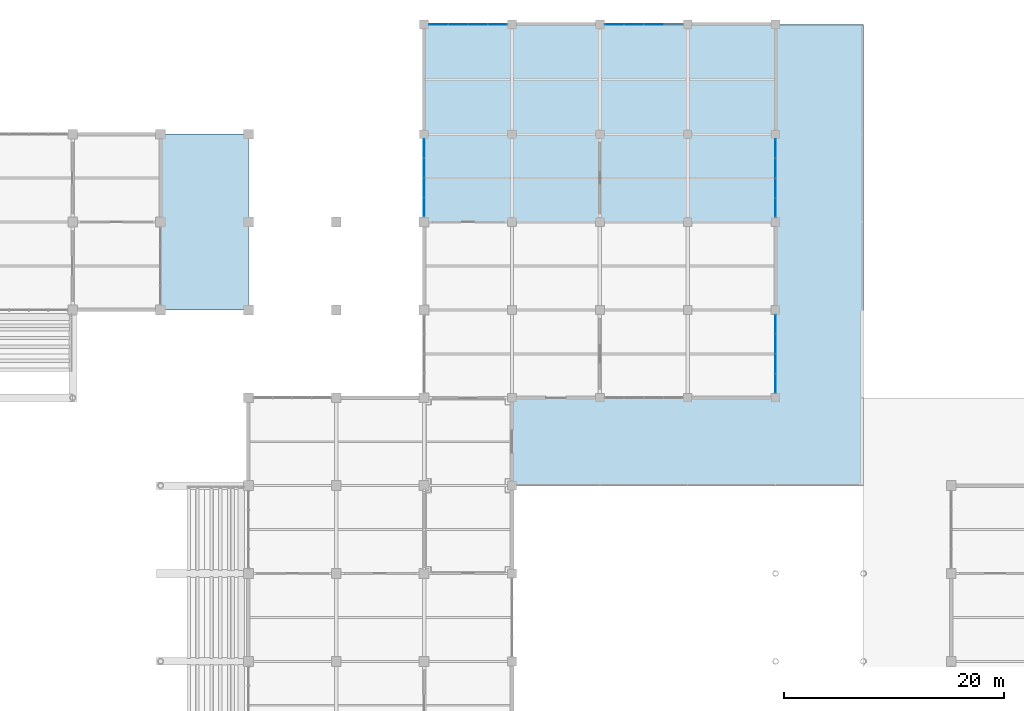
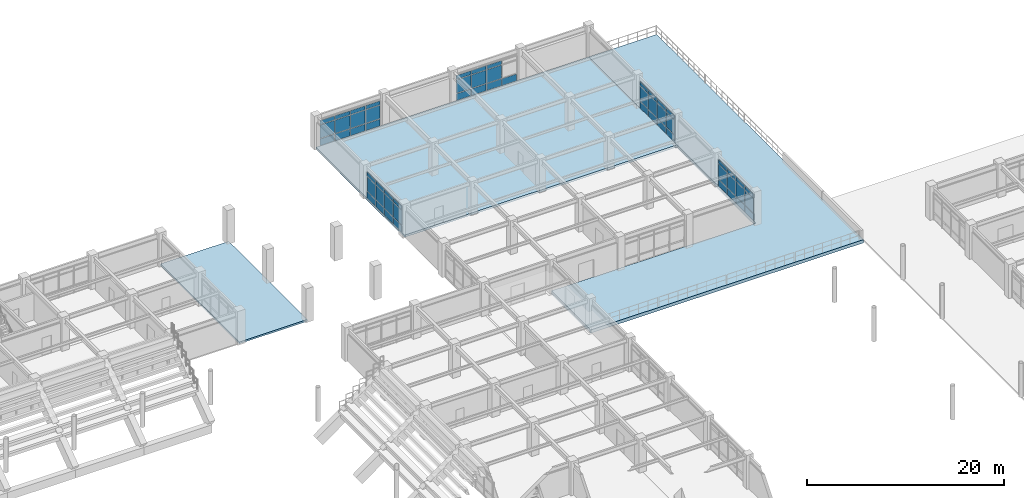
# One storey, part 84 of 118: 58 plates, 3 slabs, 5 elements without a shape of their own.
"""IFC4 building model written with IfcOpenShell, lengths in metres."""

from ifc_helpers import new_model, si_unit, direction, frame, origin, origin_2d, place, context, subcontext, project, spatial, polyline, rectangle, outline, extrude, material, layer, layer_set, type_object, element, aggregate, save


model = new_model("IFC4")

# Units and contexts
model_context = context("Model", 3, precision=1e-05, world=origin(), true_north=direction((0.0, 1.0)))
body_context = subcontext(model_context, "Body", "Model", "MODEL_VIEW")
ifc_project = project(units=[si_unit("LENGTHUNIT", "METRE"), si_unit("AREAUNIT", "SQUARE_METRE"), si_unit("VOLUMEUNIT", "CUBIC_METRE"), si_unit("PLANEANGLEUNIT", "RADIAN"), si_unit("MASSUNIT", "GRAM", prefix="KILO")], contexts=[model_context])

# Site, building, storey
site_placement = place(None, origin())
site = spatial("IfcSite", under=ifc_project, at=site_placement, CompositionType="ELEMENT")
building_placement = place(site_placement, origin())
building = spatial("IfcBuilding", under=site, at=building_placement, Name="Haebicheon Civic Stadium", CompositionType="ELEMENT")
storey_placement = place(building_placement, frame((0.0, 0.0, 14.39990234375)))
storey = spatial("IfcBuildingStorey", under=building, at=storey_placement, Name="L04", CompositionType="ELEMENT", Elevation=14.39990234375)

# Curtain wall, plates
ifc_material_1 = material(Name="Anodised aluminium and laminated glass", Category="aluminium")
ifc_layer_1 = layer(ifc_material_1, 0.179931640625, Name="Anodised aluminium and laminated glass")
ifc_layer_set_1 = layer_set([ifc_layer_1], Name="Anodised aluminium and laminated glass")
curtain_wall_type_1 = type_object("IfcCurtainWallType", Name="CW-7150x3326", PredefinedType="NOTDEFINED", material=ifc_layer_set_1)
curtain_wall_1_placement = place(storey_placement, origin())
curtain_wall_1 = element("IfcCurtainWall", 1, at=curtain_wall_1_placement, inside=storey, type_object=curtain_wall_type_1, material=ifc_layer_set_1, Name="L04 unitised curtain wall 160", PredefinedType="NOTDEFINED")
ifc_material_2 = material(Name="Double low-e acoustic laminated glass", Category="glass")
ifc_layer_2 = layer(ifc_material_2, 0.035888671875, Name="Double low-e acoustic laminated glass")
ifc_layer_set_2 = layer_set([ifc_layer_2], Name="Double low-e acoustic laminated glass")
plate_type_1 = type_object("IfcPlateType", Name="CWP-GLZ-36", PredefinedType="CURTAIN_PANEL", material=ifc_layer_set_2)
plate_1_placement = place(storey_placement, frame((160.0, 161.361083984375, 0.93505859375), z_axis=(0.0, 0.0, 1.0), x_axis=(0.0, 1.0, 0.0)))
plate_1 = element("IfcPlate", 2, at=plate_1_placement, type_object=plate_type_1, material=ifc_layer_set_2, Name="CW-L04-160 vision panel 1.2", PredefinedType="CURTAIN_PANEL", context=body_context, shape_type="SweptSolid", body=[
    extrude(rectangle(XDim=1.68310546875, YDim=0.035888671875, at=origin_2d()), origin(), (0.0, 0.0, 1.0), 1.805908203125),
])
plate_2_placement = place(storey_placement, frame((160.0, 163.132080078125, 0.93505859375), z_axis=(0.0, 0.0, 1.0), x_axis=(0.0, 1.0, 0.0)))
plate_2 = element("IfcPlate", 3, at=plate_2_placement, type_object=plate_type_1, material=ifc_layer_set_2, Name="CW-L04-160 vision panel 2.2", PredefinedType="CURTAIN_PANEL", context=body_context, shape_type="SweptSolid", body=[
    extrude(rectangle(XDim=1.717041015625, YDim=0.035888671875, at=origin_2d()), origin(), (0.0, 0.0, 1.0), 1.805908203125),
])
plate_3_placement = place(storey_placement, frame((160.0, 164.9189453125, 0.93505859375), z_axis=(0.0, 0.0, 1.0), x_axis=(0.0, 1.0, 0.0)))
plate_3 = element("IfcPlate", 4, at=plate_3_placement, type_object=plate_type_1, material=ifc_layer_set_2, Name="CW-L04-160 vision panel 3.2", PredefinedType="CURTAIN_PANEL", context=body_context, shape_type="SweptSolid", body=[
    extrude(rectangle(XDim=1.718017578125, YDim=0.035888671875, at=origin_2d()), origin(), (0.0, 0.0, 1.0), 1.805908203125),
])
plate_4_placement = place(storey_placement, frame((160.0, 166.68896484375, 0.93505859375), z_axis=(0.0, 0.0, 1.0), x_axis=(0.0, 1.0, 0.0)))
plate_4 = element("IfcPlate", 5, at=plate_4_placement, type_object=plate_type_1, material=ifc_layer_set_2, Name="CW-L04-160 vision panel 4.2", PredefinedType="CURTAIN_PANEL", context=body_context, shape_type="SweptSolid", body=[
    extrude(rectangle(XDim=1.681884765625, YDim=0.035888671875, at=origin_2d()), origin(), (0.0, 0.0, 1.0), 1.805908203125),
])

ifc_material_3 = material(Name="Anodised aluminium and laminated glass", Category="aluminium")
ifc_layer_3 = layer(ifc_material_3, 0.179931640625, Name="Anodised aluminium and laminated glass")
ifc_layer_set_3 = layer_set([ifc_layer_3], Name="Anodised aluminium and laminated glass")
curtain_wall_type_2 = type_object("IfcCurtainWallType", Name="CW-7200x3170", PredefinedType="NOTDEFINED", material=ifc_layer_set_3)
curtain_wall_2_placement = place(storey_placement, origin())
curtain_wall_2 = element("IfcCurtainWall", 6, at=curtain_wall_2_placement, inside=storey, type_object=curtain_wall_type_2, material=ifc_layer_set_3, Name="L04 unitised curtain wall 161", PredefinedType="NOTDEFINED")
plate_5_placement = place(storey_placement, frame((161.318115234375, 178.0, 0.93505859375), z_axis=(0.0, 0.0, 1.0), x_axis=(1.0, 0.0, 0.0)))
plate_5 = element("IfcPlate", 7, at=plate_5_placement, type_object=plate_type_1, material=ifc_layer_set_2, Name="CW-L04-161 vision panel 1.2", PredefinedType="CURTAIN_PANEL", context=body_context, shape_type="SweptSolid", body=[
    extrude(rectangle(XDim=1.695068359375, YDim=0.035888671875, at=origin_2d()), origin(), (0.0, 0.0, 1.0), 1.64990234375),
])
plate_6_placement = place(storey_placement, frame((163.10009765625, 178.0, 0.93505859375), z_axis=(0.0, 0.0, 1.0), x_axis=(1.0, 0.0, 0.0)))
plate_6 = element("IfcPlate", 8, at=plate_6_placement, type_object=plate_type_1, material=ifc_layer_set_2, Name="CW-L04-161 vision panel 2.2", PredefinedType="CURTAIN_PANEL", context=body_context, shape_type="SweptSolid", body=[
    extrude(rectangle(XDim=1.72998046875, YDim=0.035888671875, at=origin_2d()), origin(), (0.0, 0.0, 1.0), 1.64990234375),
])
plate_7_placement = place(storey_placement, frame((164.89990234375, 178.0, 0.93505859375), z_axis=(0.0, 0.0, 1.0), x_axis=(1.0, 0.0, 0.0)))
plate_7 = element("IfcPlate", 9, at=plate_7_placement, type_object=plate_type_1, material=ifc_layer_set_2, Name="CW-L04-161 vision panel 3.2", PredefinedType="CURTAIN_PANEL", context=body_context, shape_type="SweptSolid", body=[
    extrude(rectangle(XDim=1.72998046875, YDim=0.035888671875, at=origin_2d()), origin(), (0.0, 0.0, 1.0), 1.64990234375),
])
plate_8_placement = place(storey_placement, frame((166.681884765625, 178.0, 0.93505859375), z_axis=(0.0, 0.0, 1.0), x_axis=(1.0, 0.0, 0.0)))
plate_8 = element("IfcPlate", 10, at=plate_8_placement, type_object=plate_type_1, material=ifc_layer_set_2, Name="CW-L04-161 vision panel 4.2", PredefinedType="CURTAIN_PANEL", context=body_context, shape_type="SweptSolid", body=[
    extrude(rectangle(XDim=1.695068359375, YDim=0.035888671875, at=origin_2d()), origin(), (0.0, 0.0, 1.0), 1.64990234375),
])

curtain_wall_3_placement = place(storey_placement, origin())
curtain_wall_3 = element("IfcCurtainWall", 11, at=curtain_wall_3_placement, inside=storey, type_object=curtain_wall_type_2, material=ifc_layer_set_3, Name="L04 unitised curtain wall 164", PredefinedType="NOTDEFINED")
plate_9_placement = place(storey_placement, frame((177.318115234375, 178.0, 0.93505859375), z_axis=(0.0, 0.0, 1.0), x_axis=(1.0, 0.0, 0.0)))
plate_9 = element("IfcPlate", 12, at=plate_9_placement, type_object=plate_type_1, material=ifc_layer_set_2, Name="CW-L04-164 vision panel 1.2", PredefinedType="CURTAIN_PANEL", context=body_context, shape_type="SweptSolid", body=[
    extrude(rectangle(XDim=1.695068359375, YDim=0.035888671875, at=origin_2d()), origin(), (0.0, 0.0, 1.0), 1.64990234375),
])
plate_10_placement = place(storey_placement, frame((179.10009765625, 178.0, 0.93505859375), z_axis=(0.0, 0.0, 1.0), x_axis=(1.0, 0.0, 0.0)))
plate_10 = element("IfcPlate", 13, at=plate_10_placement, type_object=plate_type_1, material=ifc_layer_set_2, Name="CW-L04-164 vision panel 2.2", PredefinedType="CURTAIN_PANEL", context=body_context, shape_type="SweptSolid", body=[
    extrude(rectangle(XDim=1.72998046875, YDim=0.035888671875, at=origin_2d()), origin(), (0.0, 0.0, 1.0), 1.64990234375),
])
plate_11_placement = place(storey_placement, frame((180.89990234375, 178.0, 0.93505859375), z_axis=(0.0, 0.0, 1.0), x_axis=(1.0, 0.0, 0.0)))
plate_11 = element("IfcPlate", 14, at=plate_11_placement, type_object=plate_type_1, material=ifc_layer_set_2, Name="CW-L04-164 vision panel 3.2", PredefinedType="CURTAIN_PANEL", context=body_context, shape_type="SweptSolid", body=[
    extrude(rectangle(XDim=1.72998046875, YDim=0.035888671875, at=origin_2d()), origin(), (0.0, 0.0, 1.0), 1.64990234375),
])

ifc_material_4 = material(Name="Anodised aluminium and laminated glass", Category="aluminium")
ifc_layer_4 = layer(ifc_material_4, 0.179931640625, Name="Anodised aluminium and laminated glass")
ifc_layer_set_4 = layer_set([ifc_layer_4], Name="Anodised aluminium and laminated glass")
curtain_wall_type_3 = type_object("IfcCurtainWallType", Name="CW-7200x3350", PredefinedType="NOTDEFINED", material=ifc_layer_set_4)
curtain_wall_4_placement = place(storey_placement, origin())
curtain_wall_4 = element("IfcCurtainWall", 15, at=curtain_wall_4_placement, inside=storey, type_object=curtain_wall_type_3, material=ifc_layer_set_4, Name="L04 unitised curtain wall 167", PredefinedType="NOTDEFINED")
plate_12_placement = place(storey_placement, frame((192.0, 145.318115234375, 0.93505859375), z_axis=(0.0, 0.0, 1.0), x_axis=(0.0, 1.0, 0.0)))
plate_12 = element("IfcPlate", 16, at=plate_12_placement, type_object=plate_type_1, material=ifc_layer_set_2, Name="CW-L04-167 vision panel 1.2", PredefinedType="CURTAIN_PANEL", context=body_context, shape_type="SweptSolid", body=[
    extrude(rectangle(XDim=1.695068359375, YDim=0.035888671875, at=origin_2d()), origin(), (0.0, 0.0, 1.0), 1.830078125),
])
plate_13_placement = place(storey_placement, frame((192.0, 147.10009765625, 0.93505859375), z_axis=(0.0, 0.0, 1.0), x_axis=(0.0, 1.0, 0.0)))
plate_13 = element("IfcPlate", 17, at=plate_13_placement, type_object=plate_type_1, material=ifc_layer_set_2, Name="CW-L04-167 vision panel 2.2", PredefinedType="CURTAIN_PANEL", context=body_context, shape_type="SweptSolid", body=[
    extrude(rectangle(XDim=1.72998046875, YDim=0.035888671875, at=origin_2d()), origin(), (0.0, 0.0, 1.0), 1.830078125),
])
plate_14_placement = place(storey_placement, frame((192.0, 148.89990234375, 0.93505859375), z_axis=(0.0, 0.0, 1.0), x_axis=(0.0, 1.0, 0.0)))
plate_14 = element("IfcPlate", 18, at=plate_14_placement, type_object=plate_type_1, material=ifc_layer_set_2, Name="CW-L04-167 vision panel 3.2", PredefinedType="CURTAIN_PANEL", context=body_context, shape_type="SweptSolid", body=[
    extrude(rectangle(XDim=1.72998046875, YDim=0.035888671875, at=origin_2d()), origin(), (0.0, 0.0, 1.0), 1.830078125),
])
plate_15_placement = place(storey_placement, frame((192.0, 150.681884765625, 0.93505859375), z_axis=(0.0, 0.0, 1.0), x_axis=(0.0, 1.0, 0.0)))
plate_15 = element("IfcPlate", 19, at=plate_15_placement, type_object=plate_type_1, material=ifc_layer_set_2, Name="CW-L04-167 vision panel 4.2", PredefinedType="CURTAIN_PANEL", context=body_context, shape_type="SweptSolid", body=[
    extrude(rectangle(XDim=1.695068359375, YDim=0.035888671875, at=origin_2d()), origin(), (0.0, 0.0, 1.0), 1.830078125),
])

curtain_wall_5_placement = place(storey_placement, origin())
curtain_wall_5 = element("IfcCurtainWall", 20, at=curtain_wall_5_placement, inside=storey, type_object=curtain_wall_type_3, material=ifc_layer_set_4, Name="L04 unitised curtain wall 168", PredefinedType="NOTDEFINED")
plate_16_placement = place(storey_placement, frame((192.0, 161.318115234375, 0.93505859375), z_axis=(0.0, 0.0, 1.0), x_axis=(0.0, 1.0, 0.0)))
plate_16 = element("IfcPlate", 21, at=plate_16_placement, type_object=plate_type_1, material=ifc_layer_set_2, Name="CW-L04-168 vision panel 1.2", PredefinedType="CURTAIN_PANEL", context=body_context, shape_type="SweptSolid", body=[
    extrude(rectangle(XDim=1.695068359375, YDim=0.035888671875, at=origin_2d()), origin(), (0.0, 0.0, 1.0), 1.830078125),
])
plate_17_placement = place(storey_placement, frame((192.0, 163.10009765625, 0.93505859375), z_axis=(0.0, 0.0, 1.0), x_axis=(0.0, 1.0, 0.0)))
plate_17 = element("IfcPlate", 22, at=plate_17_placement, type_object=plate_type_1, material=ifc_layer_set_2, Name="CW-L04-168 vision panel 2.2", PredefinedType="CURTAIN_PANEL", context=body_context, shape_type="SweptSolid", body=[
    extrude(rectangle(XDim=1.72998046875, YDim=0.035888671875, at=origin_2d()), origin(), (0.0, 0.0, 1.0), 1.830078125),
])
plate_18_placement = place(storey_placement, frame((192.0, 164.89990234375, 0.93505859375), z_axis=(0.0, 0.0, 1.0), x_axis=(0.0, 1.0, 0.0)))
plate_18 = element("IfcPlate", 23, at=plate_18_placement, type_object=plate_type_1, material=ifc_layer_set_2, Name="CW-L04-168 vision panel 3.2", PredefinedType="CURTAIN_PANEL", context=body_context, shape_type="SweptSolid", body=[
    extrude(rectangle(XDim=1.72998046875, YDim=0.035888671875, at=origin_2d()), origin(), (0.0, 0.0, 1.0), 1.830078125),
])
plate_19_placement = place(storey_placement, frame((192.0, 166.681884765625, 0.93505859375), z_axis=(0.0, 0.0, 1.0), x_axis=(0.0, 1.0, 0.0)))
plate_19 = element("IfcPlate", 24, at=plate_19_placement, type_object=plate_type_1, material=ifc_layer_set_2, Name="CW-L04-168 vision panel 4.2", PredefinedType="CURTAIN_PANEL", context=body_context, shape_type="SweptSolid", body=[
    extrude(rectangle(XDim=1.695068359375, YDim=0.035888671875, at=origin_2d()), origin(), (0.0, 0.0, 1.0), 1.830078125),
])

# Plate
ifc_material_5 = material(Name="Anodised aluminium 6063-T6", Category="aluminium")
ifc_layer_5 = layer(ifc_material_5, 0.053955078125, Name="Anodised aluminium 6063-T6")
ifc_layer_set_5 = layer_set([ifc_layer_5], Name="Anodised aluminium 6063-T6")
plate_type_2 = type_object("IfcPlateType", Name="CWP-SPD-54", PredefinedType="CURTAIN_PANEL", material=ifc_layer_set_5)
plate_20_placement = place(storey_placement, frame((160.0, 161.361083984375, 0.03515625), z_axis=(0.0, 0.0, 1.0), x_axis=(0.0, 1.0, 0.0)))
plate_20 = element("IfcPlate", 25, at=plate_20_placement, type_object=plate_type_2, material=ifc_layer_set_5, Name="CW-L04-160 spandrel panel 1.1", PredefinedType="CURTAIN_PANEL", context=body_context, shape_type="SweptSolid", body=[
    extrude(rectangle(XDim=1.68310546875, YDim=0.053955078125, at=origin_2d()), origin(), (0.0, 0.0, 1.0), 0.830078125),
])

plate_21_placement = place(storey_placement, frame((160.0, 161.361083984375, 2.81103515625), z_axis=(0.0, 0.0, 1.0), x_axis=(0.0, 1.0, 0.0)))
plate_21 = element("IfcPlate", 26, at=plate_21_placement, type_object=plate_type_2, material=ifc_layer_set_5, Name="CW-L04-160 spandrel panel 1.3", PredefinedType="CURTAIN_PANEL", context=body_context, shape_type="SweptSolid", body=[
    extrude(rectangle(XDim=1.68310546875, YDim=0.053955078125, at=origin_2d()), origin(), (0.0, 0.0, 1.0), 0.47998046875),
])

plate_22_placement = place(storey_placement, frame((160.0, 163.132080078125, 0.03515625), z_axis=(0.0, 0.0, 1.0), x_axis=(0.0, 1.0, 0.0)))
plate_22 = element("IfcPlate", 27, at=plate_22_placement, type_object=plate_type_2, material=ifc_layer_set_5, Name="CW-L04-160 spandrel panel 2.1", PredefinedType="CURTAIN_PANEL", context=body_context, shape_type="SweptSolid", body=[
    extrude(rectangle(XDim=1.717041015625, YDim=0.053955078125, at=origin_2d()), origin(), (0.0, 0.0, 1.0), 0.830078125),
])

plate_23_placement = place(storey_placement, frame((160.0, 163.132080078125, 2.81103515625), z_axis=(0.0, 0.0, 1.0), x_axis=(0.0, 1.0, 0.0)))
plate_23 = element("IfcPlate", 28, at=plate_23_placement, type_object=plate_type_2, material=ifc_layer_set_5, Name="CW-L04-160 spandrel panel 2.3", PredefinedType="CURTAIN_PANEL", context=body_context, shape_type="SweptSolid", body=[
    extrude(rectangle(XDim=1.717041015625, YDim=0.053955078125, at=origin_2d()), origin(), (0.0, 0.0, 1.0), 0.47998046875),
])

plate_24_placement = place(storey_placement, frame((160.0, 164.9189453125, 0.03515625), z_axis=(0.0, 0.0, 1.0), x_axis=(0.0, 1.0, 0.0)))
plate_24 = element("IfcPlate", 29, at=plate_24_placement, type_object=plate_type_2, material=ifc_layer_set_5, Name="CW-L04-160 spandrel panel 3.1", PredefinedType="CURTAIN_PANEL", context=body_context, shape_type="SweptSolid", body=[
    extrude(rectangle(XDim=1.718017578125, YDim=0.053955078125, at=origin_2d()), origin(), (0.0, 0.0, 1.0), 0.830078125),
])

plate_25_placement = place(storey_placement, frame((160.0, 164.9189453125, 2.81103515625), z_axis=(0.0, 0.0, 1.0), x_axis=(0.0, 1.0, 0.0)))
plate_25 = element("IfcPlate", 30, at=plate_25_placement, type_object=plate_type_2, material=ifc_layer_set_5, Name="CW-L04-160 spandrel panel 3.3", PredefinedType="CURTAIN_PANEL", context=body_context, shape_type="SweptSolid", body=[
    extrude(rectangle(XDim=1.718017578125, YDim=0.053955078125, at=origin_2d()), origin(), (0.0, 0.0, 1.0), 0.47998046875),
])

plate_26_placement = place(storey_placement, frame((160.0, 166.68896484375, 0.03515625), z_axis=(0.0, 0.0, 1.0), x_axis=(0.0, 1.0, 0.0)))
plate_26 = element("IfcPlate", 31, at=plate_26_placement, type_object=plate_type_2, material=ifc_layer_set_5, Name="CW-L04-160 spandrel panel 4.1", PredefinedType="CURTAIN_PANEL", context=body_context, shape_type="SweptSolid", body=[
    extrude(rectangle(XDim=1.681884765625, YDim=0.053955078125, at=origin_2d()), origin(), (0.0, 0.0, 1.0), 0.830078125),
])

plate_27_placement = place(storey_placement, frame((160.0, 166.68896484375, 2.81103515625), z_axis=(0.0, 0.0, 1.0), x_axis=(0.0, 1.0, 0.0)))
plate_27 = element("IfcPlate", 32, at=plate_27_placement, type_object=plate_type_2, material=ifc_layer_set_5, Name="CW-L04-160 spandrel panel 4.3", PredefinedType="CURTAIN_PANEL", context=body_context, shape_type="SweptSolid", body=[
    extrude(rectangle(XDim=1.681884765625, YDim=0.053955078125, at=origin_2d()), origin(), (0.0, 0.0, 1.0), 0.47998046875),
])

aggregate(curtain_wall_1, [plate_20, plate_1, plate_21, plate_22, plate_2, plate_23, plate_24, plate_3, plate_25, plate_26, plate_4, plate_27])

plate_28_placement = place(storey_placement, frame((161.318115234375, 178.0, 0.03515625), z_axis=(0.0, 0.0, 1.0), x_axis=(1.0, 0.0, 0.0)))
plate_28 = element("IfcPlate", 33, at=plate_28_placement, type_object=plate_type_2, material=ifc_layer_set_5, Name="CW-L04-161 spandrel panel 1.1", PredefinedType="CURTAIN_PANEL", context=body_context, shape_type="SweptSolid", body=[
    extrude(rectangle(XDim=1.695068359375, YDim=0.053955078125, at=origin_2d()), origin(), (0.0, 0.0, 1.0), 0.830078125),
])

plate_29_placement = place(storey_placement, frame((161.318115234375, 178.0, 2.655029296875), z_axis=(0.0, 0.0, 1.0), x_axis=(1.0, 0.0, 0.0)))
plate_29 = element("IfcPlate", 34, at=plate_29_placement, type_object=plate_type_2, material=ifc_layer_set_5, Name="CW-L04-161 spandrel panel 1.3", PredefinedType="CURTAIN_PANEL", context=body_context, shape_type="SweptSolid", body=[
    extrude(rectangle(XDim=1.695068359375, YDim=0.053955078125, at=origin_2d()), origin(), (0.0, 0.0, 1.0), 0.47998046875),
])

plate_30_placement = place(storey_placement, frame((163.10009765625, 178.0, 0.03515625), z_axis=(0.0, 0.0, 1.0), x_axis=(1.0, 0.0, 0.0)))
plate_30 = element("IfcPlate", 35, at=plate_30_placement, type_object=plate_type_2, material=ifc_layer_set_5, Name="CW-L04-161 spandrel panel 2.1", PredefinedType="CURTAIN_PANEL", context=body_context, shape_type="SweptSolid", body=[
    extrude(rectangle(XDim=1.72998046875, YDim=0.053955078125, at=origin_2d()), origin(), (0.0, 0.0, 1.0), 0.830078125),
])

plate_31_placement = place(storey_placement, frame((163.10009765625, 178.0, 2.655029296875), z_axis=(0.0, 0.0, 1.0), x_axis=(1.0, 0.0, 0.0)))
plate_31 = element("IfcPlate", 36, at=plate_31_placement, type_object=plate_type_2, material=ifc_layer_set_5, Name="CW-L04-161 spandrel panel 2.3", PredefinedType="CURTAIN_PANEL", context=body_context, shape_type="SweptSolid", body=[
    extrude(rectangle(XDim=1.72998046875, YDim=0.053955078125, at=origin_2d()), origin(), (0.0, 0.0, 1.0), 0.47998046875),
])

plate_32_placement = place(storey_placement, frame((164.89990234375, 178.0, 0.03515625), z_axis=(0.0, 0.0, 1.0), x_axis=(1.0, 0.0, 0.0)))
plate_32 = element("IfcPlate", 37, at=plate_32_placement, type_object=plate_type_2, material=ifc_layer_set_5, Name="CW-L04-161 spandrel panel 3.1", PredefinedType="CURTAIN_PANEL", context=body_context, shape_type="SweptSolid", body=[
    extrude(rectangle(XDim=1.72998046875, YDim=0.053955078125, at=origin_2d()), origin(), (0.0, 0.0, 1.0), 0.830078125),
])

plate_33_placement = place(storey_placement, frame((164.89990234375, 178.0, 2.655029296875), z_axis=(0.0, 0.0, 1.0), x_axis=(1.0, 0.0, 0.0)))
plate_33 = element("IfcPlate", 38, at=plate_33_placement, type_object=plate_type_2, material=ifc_layer_set_5, Name="CW-L04-161 spandrel panel 3.3", PredefinedType="CURTAIN_PANEL", context=body_context, shape_type="SweptSolid", body=[
    extrude(rectangle(XDim=1.72998046875, YDim=0.053955078125, at=origin_2d()), origin(), (0.0, 0.0, 1.0), 0.47998046875),
])

plate_34_placement = place(storey_placement, frame((166.681884765625, 178.0, 0.03515625), z_axis=(0.0, 0.0, 1.0), x_axis=(1.0, 0.0, 0.0)))
plate_34 = element("IfcPlate", 39, at=plate_34_placement, type_object=plate_type_2, material=ifc_layer_set_5, Name="CW-L04-161 spandrel panel 4.1", PredefinedType="CURTAIN_PANEL", context=body_context, shape_type="SweptSolid", body=[
    extrude(rectangle(XDim=1.695068359375, YDim=0.053955078125, at=origin_2d()), origin(), (0.0, 0.0, 1.0), 0.830078125),
])

plate_35_placement = place(storey_placement, frame((166.681884765625, 178.0, 2.655029296875), z_axis=(0.0, 0.0, 1.0), x_axis=(1.0, 0.0, 0.0)))
plate_35 = element("IfcPlate", 40, at=plate_35_placement, type_object=plate_type_2, material=ifc_layer_set_5, Name="CW-L04-161 spandrel panel 4.3", PredefinedType="CURTAIN_PANEL", context=body_context, shape_type="SweptSolid", body=[
    extrude(rectangle(XDim=1.695068359375, YDim=0.053955078125, at=origin_2d()), origin(), (0.0, 0.0, 1.0), 0.47998046875),
])

aggregate(curtain_wall_2, [plate_28, plate_5, plate_29, plate_30, plate_6, plate_31, plate_32, plate_7, plate_33, plate_34, plate_8, plate_35])

plate_36_placement = place(storey_placement, frame((177.318115234375, 178.0, 0.03515625), z_axis=(0.0, 0.0, 1.0), x_axis=(1.0, 0.0, 0.0)))
plate_36 = element("IfcPlate", 41, at=plate_36_placement, type_object=plate_type_2, material=ifc_layer_set_5, Name="CW-L04-164 spandrel panel 1.1", PredefinedType="CURTAIN_PANEL", context=body_context, shape_type="SweptSolid", body=[
    extrude(rectangle(XDim=1.695068359375, YDim=0.053955078125, at=origin_2d()), origin(), (0.0, 0.0, 1.0), 0.830078125),
])

plate_37_placement = place(storey_placement, frame((177.318115234375, 178.0, 2.655029296875), z_axis=(0.0, 0.0, 1.0), x_axis=(1.0, 0.0, 0.0)))
plate_37 = element("IfcPlate", 42, at=plate_37_placement, type_object=plate_type_2, material=ifc_layer_set_5, Name="CW-L04-164 spandrel panel 1.3", PredefinedType="CURTAIN_PANEL", context=body_context, shape_type="SweptSolid", body=[
    extrude(rectangle(XDim=1.695068359375, YDim=0.053955078125, at=origin_2d()), origin(), (0.0, 0.0, 1.0), 0.47998046875),
])

plate_38_placement = place(storey_placement, frame((179.10009765625, 178.0, 0.03515625), z_axis=(0.0, 0.0, 1.0), x_axis=(1.0, 0.0, 0.0)))
plate_38 = element("IfcPlate", 43, at=plate_38_placement, type_object=plate_type_2, material=ifc_layer_set_5, Name="CW-L04-164 spandrel panel 2.1", PredefinedType="CURTAIN_PANEL", context=body_context, shape_type="SweptSolid", body=[
    extrude(rectangle(XDim=1.72998046875, YDim=0.053955078125, at=origin_2d()), origin(), (0.0, 0.0, 1.0), 0.830078125),
])

plate_39_placement = place(storey_placement, frame((179.10009765625, 178.0, 2.655029296875), z_axis=(0.0, 0.0, 1.0), x_axis=(1.0, 0.0, 0.0)))
plate_39 = element("IfcPlate", 44, at=plate_39_placement, type_object=plate_type_2, material=ifc_layer_set_5, Name="CW-L04-164 spandrel panel 2.3", PredefinedType="CURTAIN_PANEL", context=body_context, shape_type="SweptSolid", body=[
    extrude(rectangle(XDim=1.72998046875, YDim=0.053955078125, at=origin_2d()), origin(), (0.0, 0.0, 1.0), 0.47998046875),
])

plate_40_placement = place(storey_placement, frame((180.89990234375, 178.0, 0.03515625), z_axis=(0.0, 0.0, 1.0), x_axis=(1.0, 0.0, 0.0)))
plate_40 = element("IfcPlate", 45, at=plate_40_placement, type_object=plate_type_2, material=ifc_layer_set_5, Name="CW-L04-164 spandrel panel 3.1", PredefinedType="CURTAIN_PANEL", context=body_context, shape_type="SweptSolid", body=[
    extrude(rectangle(XDim=1.72998046875, YDim=0.053955078125, at=origin_2d()), origin(), (0.0, 0.0, 1.0), 0.830078125),
])

plate_41_placement = place(storey_placement, frame((180.89990234375, 178.0, 2.655029296875), z_axis=(0.0, 0.0, 1.0), x_axis=(1.0, 0.0, 0.0)))
plate_41 = element("IfcPlate", 46, at=plate_41_placement, type_object=plate_type_2, material=ifc_layer_set_5, Name="CW-L04-164 spandrel panel 3.3", PredefinedType="CURTAIN_PANEL", context=body_context, shape_type="SweptSolid", body=[
    extrude(rectangle(XDim=1.72998046875, YDim=0.053955078125, at=origin_2d()), origin(), (0.0, 0.0, 1.0), 0.47998046875),
])

plate_42_placement = place(storey_placement, frame((182.681884765625, 178.0, 0.03515625), z_axis=(0.0, 0.0, 1.0), x_axis=(1.0, 0.0, 0.0)))
plate_42 = element("IfcPlate", 47, at=plate_42_placement, type_object=plate_type_2, material=ifc_layer_set_5, Name="CW-L04-164 spandrel panel 4.1", PredefinedType="CURTAIN_PANEL", context=body_context, shape_type="SweptSolid", body=[
    extrude(rectangle(XDim=1.695068359375, YDim=0.053955078125, at=origin_2d()), origin(), (0.0, 0.0, 1.0), 0.830078125),
])

aggregate(curtain_wall_3, [plate_36, plate_9, plate_37, plate_38, plate_10, plate_39, plate_40, plate_11, plate_41, plate_42])

plate_43_placement = place(storey_placement, frame((192.0, 145.318115234375, 0.03515625), z_axis=(0.0, 0.0, 1.0), x_axis=(0.0, 1.0, 0.0)))
plate_43 = element("IfcPlate", 48, at=plate_43_placement, type_object=plate_type_2, material=ifc_layer_set_5, Name="CW-L04-167 spandrel panel 1.1", PredefinedType="CURTAIN_PANEL", context=body_context, shape_type="SweptSolid", body=[
    extrude(rectangle(XDim=1.695068359375, YDim=0.053955078125, at=origin_2d()), origin(), (0.0, 0.0, 1.0), 0.830078125),
])

plate_44_placement = place(storey_placement, frame((192.0, 145.318115234375, 2.835205078125), z_axis=(0.0, 0.0, 1.0), x_axis=(0.0, 1.0, 0.0)))
plate_44 = element("IfcPlate", 49, at=plate_44_placement, type_object=plate_type_2, material=ifc_layer_set_5, Name="CW-L04-167 spandrel panel 1.3", PredefinedType="CURTAIN_PANEL", context=body_context, shape_type="SweptSolid", body=[
    extrude(rectangle(XDim=1.695068359375, YDim=0.053955078125, at=origin_2d()), origin(), (0.0, 0.0, 1.0), 0.47998046875),
])

plate_45_placement = place(storey_placement, frame((192.0, 147.10009765625, 0.03515625), z_axis=(0.0, 0.0, 1.0), x_axis=(0.0, 1.0, 0.0)))
plate_45 = element("IfcPlate", 50, at=plate_45_placement, type_object=plate_type_2, material=ifc_layer_set_5, Name="CW-L04-167 spandrel panel 2.1", PredefinedType="CURTAIN_PANEL", context=body_context, shape_type="SweptSolid", body=[
    extrude(rectangle(XDim=1.72998046875, YDim=0.053955078125, at=origin_2d()), origin(), (0.0, 0.0, 1.0), 0.830078125),
])

plate_46_placement = place(storey_placement, frame((192.0, 147.10009765625, 2.835205078125), z_axis=(0.0, 0.0, 1.0), x_axis=(0.0, 1.0, 0.0)))
plate_46 = element("IfcPlate", 51, at=plate_46_placement, type_object=plate_type_2, material=ifc_layer_set_5, Name="CW-L04-167 spandrel panel 2.3", PredefinedType="CURTAIN_PANEL", context=body_context, shape_type="SweptSolid", body=[
    extrude(rectangle(XDim=1.72998046875, YDim=0.053955078125, at=origin_2d()), origin(), (0.0, 0.0, 1.0), 0.47998046875),
])

plate_47_placement = place(storey_placement, frame((192.0, 148.89990234375, 0.03515625), z_axis=(0.0, 0.0, 1.0), x_axis=(0.0, 1.0, 0.0)))
plate_47 = element("IfcPlate", 52, at=plate_47_placement, type_object=plate_type_2, material=ifc_layer_set_5, Name="CW-L04-167 spandrel panel 3.1", PredefinedType="CURTAIN_PANEL", context=body_context, shape_type="SweptSolid", body=[
    extrude(rectangle(XDim=1.72998046875, YDim=0.053955078125, at=origin_2d()), origin(), (0.0, 0.0, 1.0), 0.830078125),
])

plate_48_placement = place(storey_placement, frame((192.0, 148.89990234375, 2.835205078125), z_axis=(0.0, 0.0, 1.0), x_axis=(0.0, 1.0, 0.0)))
plate_48 = element("IfcPlate", 53, at=plate_48_placement, type_object=plate_type_2, material=ifc_layer_set_5, Name="CW-L04-167 spandrel panel 3.3", PredefinedType="CURTAIN_PANEL", context=body_context, shape_type="SweptSolid", body=[
    extrude(rectangle(XDim=1.72998046875, YDim=0.053955078125, at=origin_2d()), origin(), (0.0, 0.0, 1.0), 0.47998046875),
])

plate_49_placement = place(storey_placement, frame((192.0, 150.681884765625, 0.03515625), z_axis=(0.0, 0.0, 1.0), x_axis=(0.0, 1.0, 0.0)))
plate_49 = element("IfcPlate", 54, at=plate_49_placement, type_object=plate_type_2, material=ifc_layer_set_5, Name="CW-L04-167 spandrel panel 4.1", PredefinedType="CURTAIN_PANEL", context=body_context, shape_type="SweptSolid", body=[
    extrude(rectangle(XDim=1.695068359375, YDim=0.053955078125, at=origin_2d()), origin(), (0.0, 0.0, 1.0), 0.830078125),
])

plate_50_placement = place(storey_placement, frame((192.0, 150.681884765625, 2.835205078125), z_axis=(0.0, 0.0, 1.0), x_axis=(0.0, 1.0, 0.0)))
plate_50 = element("IfcPlate", 55, at=plate_50_placement, type_object=plate_type_2, material=ifc_layer_set_5, Name="CW-L04-167 spandrel panel 4.3", PredefinedType="CURTAIN_PANEL", context=body_context, shape_type="SweptSolid", body=[
    extrude(rectangle(XDim=1.695068359375, YDim=0.053955078125, at=origin_2d()), origin(), (0.0, 0.0, 1.0), 0.47998046875),
])

aggregate(curtain_wall_4, [plate_43, plate_12, plate_44, plate_45, plate_13, plate_46, plate_47, plate_14, plate_48, plate_49, plate_15, plate_50])

plate_51_placement = place(storey_placement, frame((192.0, 161.318115234375, 0.03515625), z_axis=(0.0, 0.0, 1.0), x_axis=(0.0, 1.0, 0.0)))
plate_51 = element("IfcPlate", 56, at=plate_51_placement, type_object=plate_type_2, material=ifc_layer_set_5, Name="CW-L04-168 spandrel panel 1.1", PredefinedType="CURTAIN_PANEL", context=body_context, shape_type="SweptSolid", body=[
    extrude(rectangle(XDim=1.695068359375, YDim=0.053955078125, at=origin_2d()), origin(), (0.0, 0.0, 1.0), 0.830078125),
])

plate_52_placement = place(storey_placement, frame((192.0, 161.318115234375, 2.835205078125), z_axis=(0.0, 0.0, 1.0), x_axis=(0.0, 1.0, 0.0)))
plate_52 = element("IfcPlate", 57, at=plate_52_placement, type_object=plate_type_2, material=ifc_layer_set_5, Name="CW-L04-168 spandrel panel 1.3", PredefinedType="CURTAIN_PANEL", context=body_context, shape_type="SweptSolid", body=[
    extrude(rectangle(XDim=1.695068359375, YDim=0.053955078125, at=origin_2d()), origin(), (0.0, 0.0, 1.0), 0.47998046875),
])

plate_53_placement = place(storey_placement, frame((192.0, 163.10009765625, 0.03515625), z_axis=(0.0, 0.0, 1.0), x_axis=(0.0, 1.0, 0.0)))
plate_53 = element("IfcPlate", 58, at=plate_53_placement, type_object=plate_type_2, material=ifc_layer_set_5, Name="CW-L04-168 spandrel panel 2.1", PredefinedType="CURTAIN_PANEL", context=body_context, shape_type="SweptSolid", body=[
    extrude(rectangle(XDim=1.72998046875, YDim=0.053955078125, at=origin_2d()), origin(), (0.0, 0.0, 1.0), 0.830078125),
])

plate_54_placement = place(storey_placement, frame((192.0, 163.10009765625, 2.835205078125), z_axis=(0.0, 0.0, 1.0), x_axis=(0.0, 1.0, 0.0)))
plate_54 = element("IfcPlate", 59, at=plate_54_placement, type_object=plate_type_2, material=ifc_layer_set_5, Name="CW-L04-168 spandrel panel 2.3", PredefinedType="CURTAIN_PANEL", context=body_context, shape_type="SweptSolid", body=[
    extrude(rectangle(XDim=1.72998046875, YDim=0.053955078125, at=origin_2d()), origin(), (0.0, 0.0, 1.0), 0.47998046875),
])

plate_55_placement = place(storey_placement, frame((192.0, 164.89990234375, 0.03515625), z_axis=(0.0, 0.0, 1.0), x_axis=(0.0, 1.0, 0.0)))
plate_55 = element("IfcPlate", 60, at=plate_55_placement, type_object=plate_type_2, material=ifc_layer_set_5, Name="CW-L04-168 spandrel panel 3.1", PredefinedType="CURTAIN_PANEL", context=body_context, shape_type="SweptSolid", body=[
    extrude(rectangle(XDim=1.72998046875, YDim=0.053955078125, at=origin_2d()), origin(), (0.0, 0.0, 1.0), 0.830078125),
])

plate_56_placement = place(storey_placement, frame((192.0, 164.89990234375, 2.835205078125), z_axis=(0.0, 0.0, 1.0), x_axis=(0.0, 1.0, 0.0)))
plate_56 = element("IfcPlate", 61, at=plate_56_placement, type_object=plate_type_2, material=ifc_layer_set_5, Name="CW-L04-168 spandrel panel 3.3", PredefinedType="CURTAIN_PANEL", context=body_context, shape_type="SweptSolid", body=[
    extrude(rectangle(XDim=1.72998046875, YDim=0.053955078125, at=origin_2d()), origin(), (0.0, 0.0, 1.0), 0.47998046875),
])

plate_57_placement = place(storey_placement, frame((192.0, 166.681884765625, 0.03515625), z_axis=(0.0, 0.0, 1.0), x_axis=(0.0, 1.0, 0.0)))
plate_57 = element("IfcPlate", 62, at=plate_57_placement, type_object=plate_type_2, material=ifc_layer_set_5, Name="CW-L04-168 spandrel panel 4.1", PredefinedType="CURTAIN_PANEL", context=body_context, shape_type="SweptSolid", body=[
    extrude(rectangle(XDim=1.695068359375, YDim=0.053955078125, at=origin_2d()), origin(), (0.0, 0.0, 1.0), 0.830078125),
])

plate_58_placement = place(storey_placement, frame((192.0, 166.681884765625, 2.835205078125), z_axis=(0.0, 0.0, 1.0), x_axis=(0.0, 1.0, 0.0)))
plate_58 = element("IfcPlate", 63, at=plate_58_placement, type_object=plate_type_2, material=ifc_layer_set_5, Name="CW-L04-168 spandrel panel 4.3", PredefinedType="CURTAIN_PANEL", context=body_context, shape_type="SweptSolid", body=[
    extrude(rectangle(XDim=1.695068359375, YDim=0.053955078125, at=origin_2d()), origin(), (0.0, 0.0, 1.0), 0.47998046875),
])

aggregate(curtain_wall_5, [plate_51, plate_16, plate_52, plate_53, plate_17, plate_54, plate_55, plate_18, plate_56, plate_57, plate_19, plate_58])

# Slabs
ifc_material_6 = material(Name="Concrete C40/50", Category="concrete")
ifc_layer_6 = layer(ifc_material_6, 0.260009765625, Name="Concrete C40/50")
ifc_layer_set_6 = layer_set([ifc_layer_6], Name="Concrete C40/50")
slab_type_1 = type_object("IfcSlabType", Name="SLB-FLR-260", PredefinedType="FLOOR", material=ifc_layer_set_6)
slab_1_placement = place(storey_placement, frame((0.0, 0.0, -0.260009765625)))
element("IfcSlab", 64, at=slab_1_placement, inside=storey, type_object=slab_type_1, material=ifc_layer_set_6, Name="L04 V4 structural slab 6.1", PredefinedType="FLOOR", context=body_context, shape_type="SweptSolid", body=[
    extrude(outline(polyline([(192.0, 160.0), (184.0, 160.0), (176.0, 160.0), (168.0, 160.0), (160.0, 160.0), (160.0, 168.0), (160.0, 178.0), (168.0, 178.0), (176.0, 178.0), (184.0, 178.0), (192.0, 178.0), (192.0, 168.0), (192.0, 160.0)])), origin(), (0.0, 0.0, 1.0), 0.260009765625),
])
ifc_material_7 = material(Name="Concrete C40/50", Category="concrete")
ifc_layer_7 = layer(ifc_material_7, 0.219970703125, Name="Concrete C40/50")
ifc_layer_set_7 = layer_set([ifc_layer_7], Name="Concrete C40/50")
slab_type_2 = type_object("IfcSlabType", Name="SLB-ROOF-220", PredefinedType="ROOF", material=ifc_layer_set_7)
slab_2_placement = place(storey_placement, frame((0.0, 0.0, -0.219970703125)))
element("IfcSlab", 65, at=slab_2_placement, inside=storey, type_object=slab_type_2, material=ifc_layer_set_7, Name="L04 V2 roof deck slab 4", PredefinedType="ROOF", context=body_context, shape_type="SweptSolid", body=[
    extrude(outline(polyline([(144.0, 168.0), (144.0, 152.0), (136.0, 152.0), (136.0, 168.0), (144.0, 168.0)])), origin(), (0.0, 0.0, 1.0), 0.219970703125),
])
ifc_material_8 = material(Name="Planted green roof substrate over Concrete C40/50", Category="concrete")
ifc_layer_8 = layer(ifc_material_8, 0.39990234375, Name="Planted green roof substrate over Concrete C40/50")
ifc_layer_set_8 = layer_set([ifc_layer_8], Name="Planted green roof substrate over Concrete C40/50")
slab_type_3 = type_object("IfcSlabType", Name="SLB-ROOF-400", PredefinedType="ROOF", material=ifc_layer_set_8)
slab_3_placement = place(storey_placement, frame((0.0, 0.0, -0.39990234375)))
element("IfcSlab", 66, at=slab_3_placement, inside=storey, type_object=slab_type_3, material=ifc_layer_set_8, Name="Concourse planted green roof terrace slab 1.2", PredefinedType="ROOF", context=body_context, shape_type="SweptSolid", body=[
    extrude(outline(polyline([(184.0, 144.0), (192.0, 144.0), (192.0, 152.0), (192.0, 160.0), (192.0, 168.0), (192.0, 178.0), (200.0, 178.0), (200.0, 168.0), (200.0, 160.0), (200.0, 152.0), (200.0, 144.0), (200.0, 136.0), (192.0, 136.0), (184.0, 136.0), (176.0, 136.0), (168.0, 136.0), (168.0, 144.0), (176.0, 144.0), (184.0, 144.0)])), origin(), (0.0, 0.0, 1.0), 0.39990234375),
])

save(model, "model.ifc")
